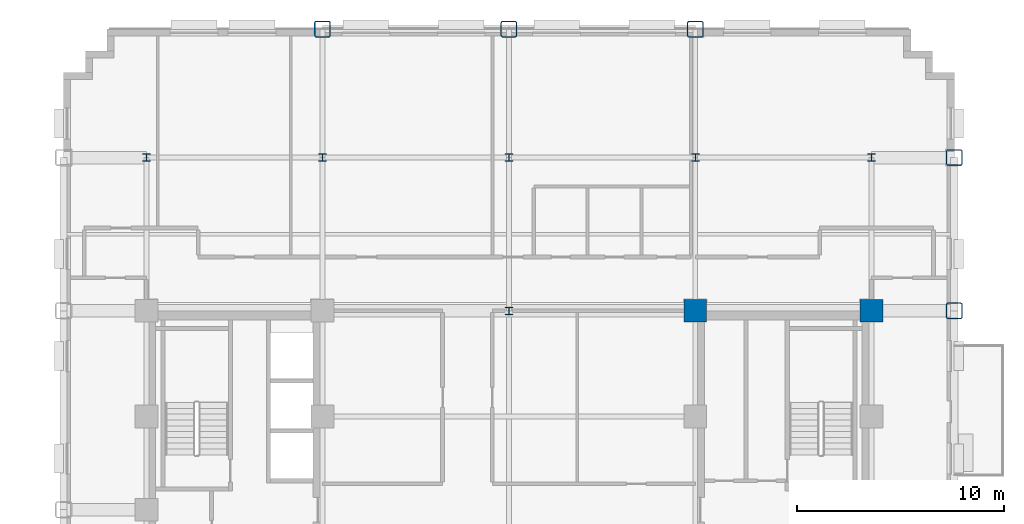
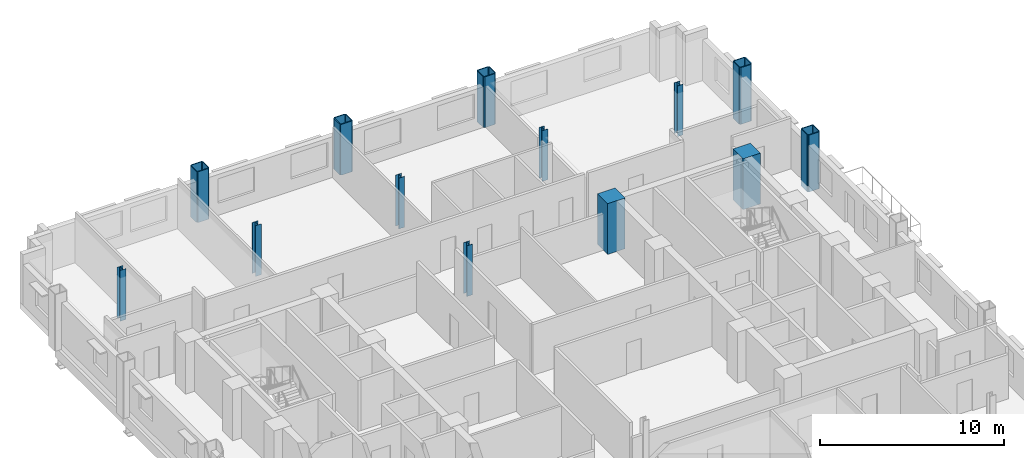
# One storey, part 3 of 14: 13 columns.
"""IFC4 building model written with IfcOpenShell, lengths in metres."""

from ifc_helpers import new_model, si_unit, direction, frame, origin, origin_2d, place, context, subcontext, project, spatial, rectangle, hollow_rectangle, i_section, extrude, material, material_profile, profile_set, type_object, element, save


model = new_model("IFC4")

# Units and contexts
model_context = context("Model", 3, precision=1e-05, world=origin(), true_north=direction((0.0, 1.0)))
body_context = subcontext(model_context, "Body", "Model", "MODEL_VIEW")
ifc_project = project(units=[si_unit("LENGTHUNIT", "METRE"), si_unit("AREAUNIT", "SQUARE_METRE"), si_unit("VOLUMEUNIT", "CUBIC_METRE"), si_unit("PLANEANGLEUNIT", "RADIAN"), si_unit("MASSUNIT", "GRAM", prefix="KILO")], contexts=[model_context])

# Site, building, storey
site_placement = place(None, origin())
site = spatial("IfcSite", under=ifc_project, at=site_placement, CompositionType="ELEMENT")
building_placement = place(site_placement, origin())
building = spatial("IfcBuilding", under=site, at=building_placement, Name="Nuvemarco Arch Tower", CompositionType="ELEMENT")
storey_placement = place(building_placement, frame((0.0, 0.0, 56.800048828125)))
storey = spatial("IfcBuildingStorey", under=building, at=storey_placement, Name="L14", CompositionType="ELEMENT", Elevation=56.800048828125)

# Columns
ifc_material_1 = material(Name="Concrete C60/75", Category="concrete")
ifc_material_profile_1 = material_profile(ifc_material_1, rectangle(XDim=1.10009765625, YDim=1.10009765625, at=origin_2d()), Name="RC-COL-1100x1100")
ifc_profile_set_1 = profile_set([ifc_material_profile_1], Name="Concrete C60/75")
column_type_1 = type_object("IfcColumnType", Name="COL-CORE-1100", PredefinedType="COLUMN", material=ifc_profile_set_1)
for number, where, z_axis, x_axis, name in (
    (1, (9.0, 9.60009765625, 0.0), (0.0, 0.0, 1.0), (1.0, 0.0, 0.0), "L14 column CC_+9.0_+9.6"),
    (2, (17.5, 9.60009765625, 0.0), (0.0, 0.0, 1.0), (1.0, 0.0, 0.0), "L14 column CC_+17.5_+9.6"),
):
    element("IfcColumn", number, at=place(storey_placement, frame(where, z_axis=z_axis, x_axis=x_axis)), inside=storey, type_object=column_type_1, Name=name, PredefinedType="COLUMN", context=body_context, shape_type="SweptSolid", body=[
        extrude(rectangle(XDim=1.10009765625, YDim=1.10009765625, at=origin_2d()), origin(), (0.0, 0.0, 1.0), 3.369873046875),
    ])
ifc_material_2 = material(Name="Steel S460", Category="steel")
ifc_material_profile_2 = material_profile(ifc_material_2, hollow_rectangle(XDim=0.800048828125, YDim=0.800048828125, WallThickness=0.054931640625, InnerFilletRadius=0.054931640625, OuterFilletRadius=0.110107421875, at=origin_2d()), Name="SHS800x800x55")
ifc_profile_set_2 = profile_set([ifc_material_profile_2], Name="Steel S460")
column_type_2 = type_object("IfcColumnType", Name="COL-EXO-800", PredefinedType="COLUMN", material=ifc_profile_set_2)
for number, where, z_axis, x_axis, name in (
    (3, (21.5, 9.60009765625, -0.400146484375), (0.0, 0.0, 1.0), (1.0, 0.0, 0.0), "L14 column CX_+21.5_+9.6"),
    (4, (21.5, 17.0, -0.400146484375), (0.0, 0.0, 1.0), (1.0, 0.0, 0.0), "L14 column CX_+21.5_+17.0"),
):
    element("IfcColumn", number, at=place(storey_placement, frame(where, z_axis=z_axis, x_axis=x_axis)), inside=storey, type_object=column_type_2, Name=name, PredefinedType="COLUMN", context=body_context, shape_type="SweptSolid", body=[
        extrude(hollow_rectangle(XDim=0.800048828125, YDim=0.800048828125, WallThickness=0.054931640625, InnerFilletRadius=0.054931640625, OuterFilletRadius=0.110107421875, at=origin_2d()), origin(), (0.0, 0.0, 1.0), 3.77001953125),
    ])
for number, where, z_axis, x_axis, name in (
    (5, (-9.0, 23.199951171875, 0.0), (0.0, 0.0, 1.0), (1.0, 0.0, 0.0), "L14 column CY_-9.0_+23.2"),
    (6, (0.0, 23.199951171875, 0.0), (0.0, 0.0, 1.0), (1.0, 0.0, 0.0), "L14 column CY_+0.0_+23.2"),
    (7, (9.0, 23.199951171875, 0.0), (0.0, 0.0, 1.0), (1.0, 0.0, 0.0), "L14 column CY_+9.0_+23.2"),
):
    element("IfcColumn", number, at=place(storey_placement, frame(where, z_axis=z_axis, x_axis=x_axis)), inside=storey, type_object=column_type_2, Name=name, PredefinedType="COLUMN", context=body_context, shape_type="SweptSolid", body=[
        extrude(hollow_rectangle(XDim=0.800048828125, YDim=0.800048828125, WallThickness=0.054931640625, InnerFilletRadius=0.054931640625, OuterFilletRadius=0.110107421875, at=origin_2d()), origin(), (0.0, 0.0, 1.0), 3.369873046875),
    ])
ifc_material_3 = material(Name="Steel S355", Category="steel")
ifc_material_profile_3 = material_profile(ifc_material_3, i_section(OverallWidth=0.360107421875, OverallDepth=0.360107421875, WebThickness=0.0205078125, FlangeThickness=0.0205078125, FilletRadius=0.01806640625, at=origin_2d()), Name="HP360x174")
ifc_profile_set_3 = profile_set([ifc_material_profile_3], Name="Steel S355")
column_type_3 = type_object("IfcColumnType", Name="COL-STL-HP360", PredefinedType="COLUMN", material=ifc_profile_set_3)
for number, where, z_axis, x_axis, name in (
    (8, (0.0, 9.60009765625, 0.0), (0.0, 0.0, 1.0), (1.0, 0.0, 0.0), "L14 column CI_+0.0_+9.6"),
    (9, (0.0, 17.0, 0.0), (0.0, 0.0, 1.0), (1.0, 0.0, 0.0), "L14 column CI_+0.0_+17.0"),
    (10, (-17.5, 17.0, 0.0), (0.0, 0.0, 1.0), (1.0, 0.0, 0.0), "L14 column CI_-17.5_+17.0"),
    (11, (-9.0, 17.0, 0.0), (0.0, 0.0, 1.0), (1.0, 0.0, 0.0), "L14 column CI_-9.0_+17.0"),
    (12, (9.0, 17.0, 0.0), (0.0, 0.0, 1.0), (1.0, 0.0, 0.0), "L14 column CI_+9.0_+17.0"),
    (13, (17.5, 17.0, 0.0), (0.0, 0.0, 1.0), (1.0, 0.0, 0.0), "L14 column CI_+17.5_+17.0"),
):
    element("IfcColumn", number, at=place(storey_placement, frame(where, z_axis=z_axis, x_axis=x_axis)), inside=storey, type_object=column_type_3, Name=name, PredefinedType="COLUMN", context=body_context, shape_type="SweptSolid", body=[
        extrude(i_section(OverallWidth=0.360107421875, OverallDepth=0.360107421875, WebThickness=0.0205078125, FlangeThickness=0.0205078125, FilletRadius=0.01806640625, at=origin_2d()), origin(), (0.0, 0.0, 1.0), 3.369873046875),
    ])

save(model, "model.ifc")
